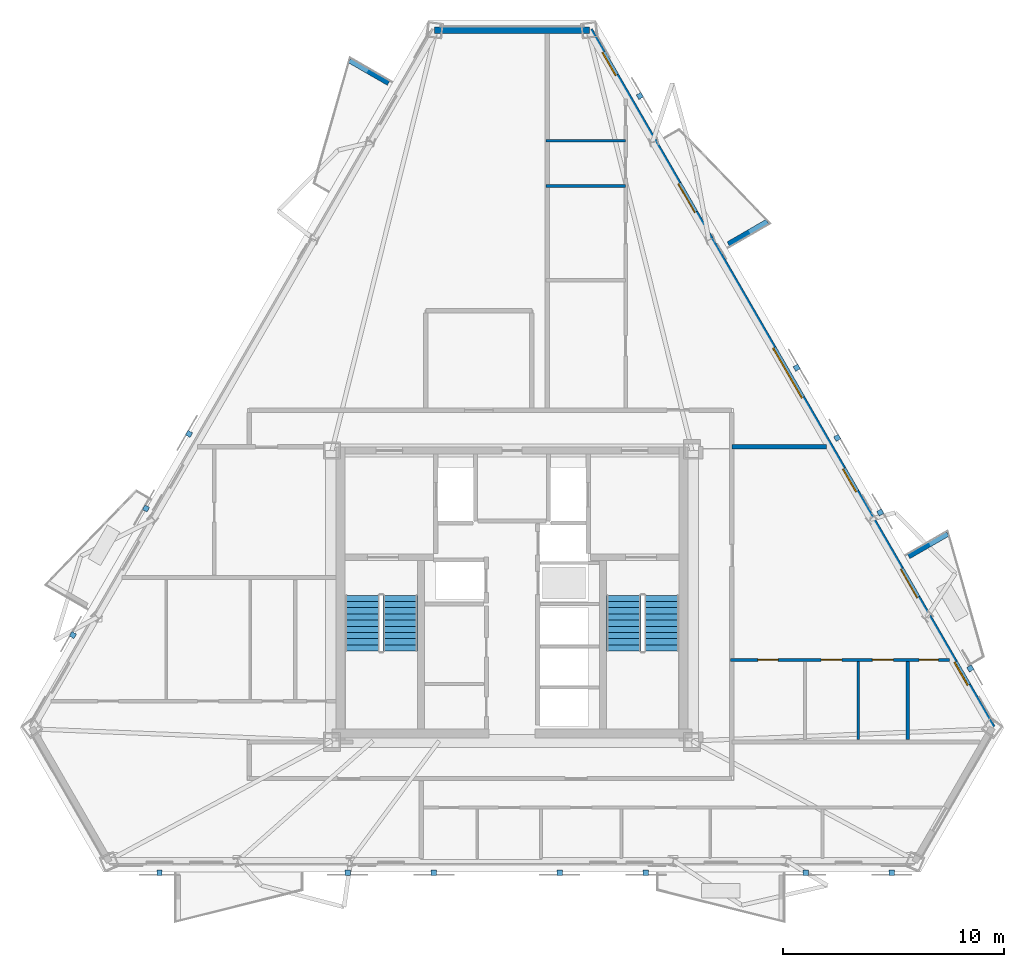
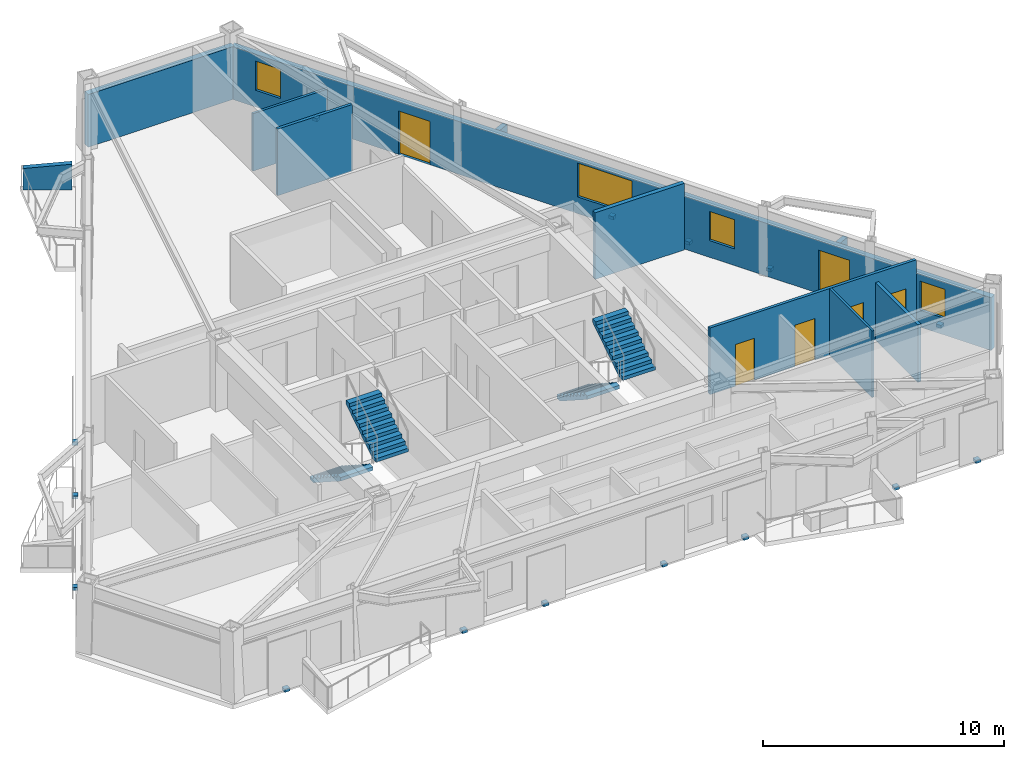
# One storey, part 5 of 10: 15 discrete accessories, 11 walls, 6 doors, 4 stair flights, 4 windows, 10 openings, 2 elements without a shape of their own.
"""IFC4 building model written with IfcOpenShell, lengths in metres."""

from ifc_helpers import new_model, si_unit, direction, frame, frame_2d, origin, origin_2d, place, context, subcontext, project, spatial, polyline, rectangle, outline, extrude, material, layer, layer_set, type_object, element, fill, aggregate, save


model = new_model("IFC4")

# Units and contexts
model_context = context("Model", 3, precision=1e-05, world=origin(), true_north=direction((0.0, 1.0)))
body_context = subcontext(model_context, "Body", "Model", "MODEL_VIEW")
ifc_project = project(units=[si_unit("LENGTHUNIT", "METRE"), si_unit("AREAUNIT", "SQUARE_METRE"), si_unit("VOLUMEUNIT", "CUBIC_METRE"), si_unit("PLANEANGLEUNIT", "RADIAN"), si_unit("MASSUNIT", "GRAM", prefix="KILO")], contexts=[model_context])

# Site, building, storey
site_placement = place(None, origin())
site = spatial("IfcSite", under=ifc_project, at=site_placement, CompositionType="ELEMENT")
building_placement = place(site_placement, origin())
building = spatial("IfcBuilding", under=site, at=building_placement, Name="Oramaril Tower", CompositionType="ELEMENT")
storey_placement = place(building_placement, frame((0.0, 0.0, 209.10009765625)))
storey = spatial("IfcBuildingStorey", under=building, at=storey_placement, Name="L55", CompositionType="ELEMENT", Elevation=209.10009765625)

# Wall, openings, doors, windows
ifc_material_1 = material(Name="Warm Cream Limestone", Category="masonry")
ifc_layer_1 = layer(ifc_material_1, 0.2900390625)
ifc_layer_set_1 = layer_set([ifc_layer_1], Name="WT-EXT29")
wall_type_1 = type_object("IfcWallType", Name="WT-EXT29", PredefinedType="SOLIDWALL", material=ifc_layer_set_1)
wall_1_placement = place(storey_placement, frame((59.24560546875, 11.600830078125, 0.0), z_axis=(0.0, 0.0, 1.0), x_axis=(-0.50000139879, 0.866024596191, 0.0)))
wall_1 = element("IfcWall", 1, at=wall_1_placement, inside=storey, type_object=wall_type_1, Name="L55 Tower Limestone Facade Wall 4M", PredefinedType="SOLIDWALL", context=body_context, shape_type="SweptSolid", body=[
    extrude(rectangle(XDim=36.466796875, YDim=0.2900390625, at=frame_2d((18.2333984375, 0.0))), origin(), (0.0, 0.0, 1.0), 2.677001953125),
])
opening_1_placement = place(wall_1_placement, frame((6.789306640625, 0.0, 0.0)))
opening_1 = element("IfcOpeningElement", 2, at=opening_1_placement, cuts=wall_1, Name="Opening D-L55-BAL-NE1", PredefinedType="OPENING", context=body_context, shape_type="SweptSolid", body=[
    extrude(rectangle(XDim=1.5, YDim=2.199951171875, at=frame_2d((0.75, 1.10009765625))), frame((0.0, 0.14501953125, 0.0), z_axis=(0.0, -1.0, 0.0), x_axis=(1.0, 0.0, 0.0)), (0.0, 0.0, 1.0), 0.2900390625),
])
opening_2_placement = place(wall_1_placement, frame((26.93212890625, 0.0, 0.0)))
opening_2 = element("IfcOpeningElement", 3, at=opening_2_placement, cuts=wall_1, Name="Opening D-L55-BAL-NE2", PredefinedType="OPENING", context=body_context, shape_type="SweptSolid", body=[
    extrude(rectangle(XDim=1.5, YDim=2.199951171875, at=frame_2d((0.75, 1.10009765625))), frame((0.0, 0.14501953125, 0.0), z_axis=(0.0, -1.0, 0.0), x_axis=(1.0, 0.0, 0.0)), (0.0, 0.0, 1.0), 0.2900390625),
])
opening_3_placement = place(wall_1_placement, frame((12.32373046875, 0.0, 0.85009765625)))
opening_3 = element("IfcOpeningElement", 4, at=opening_3_placement, cuts=wall_1, Name="Opening WN-09", PredefinedType="OPENING", context=body_context, shape_type="SweptSolid", body=[
    extrude(rectangle(XDim=1.199951171875, YDim=1.47998046875, at=frame_2d((0.60009765625, 0.739990234375))), frame((0.0, 0.14501953125, 0.0), z_axis=(0.0, -1.0, 0.0), x_axis=(1.0, 0.0, 0.0)), (0.0, 0.0, 1.0), 0.2900390625),
])
opening_4_placement = place(wall_1_placement, frame((2.218017578125, 0.0, 0.85009765625)))
opening_4 = element("IfcOpeningElement", 5, at=opening_4_placement, cuts=wall_1, Name="Opening WN-09", PredefinedType="OPENING", context=body_context, shape_type="SweptSolid", body=[
    extrude(rectangle(XDim=1.199951171875, YDim=1.47998046875, at=frame_2d((0.60009765625, 0.739990234375))), frame((0.0, 0.14501953125, 0.0), z_axis=(0.0, -1.0, 0.0), x_axis=(1.0, 0.0, 0.0)), (0.0, 0.0, 1.0), 0.2900390625),
])
opening_5_placement = place(wall_1_placement, frame((17.239501953125, 0.0, 0.85009765625)))
opening_5 = element("IfcOpeningElement", 6, at=opening_5_placement, cuts=wall_1, Name="Opening WN-02", PredefinedType="OPENING", context=body_context, shape_type="SweptSolid", body=[
    extrude(rectangle(XDim=2.60009765625, YDim=1.717041015625, at=frame_2d((1.300048828125, 0.8583984375))), frame((0.0, 0.14501953125, 0.0), z_axis=(0.0, -1.0, 0.0), x_axis=(1.0, 0.0, 0.0)), (0.0, 0.0, 1.0), 0.2900390625),
])
opening_6_placement = place(wall_1_placement, frame((34.098388671875, 0.0, 0.85009765625)))
opening_6 = element("IfcOpeningElement", 7, at=opening_6_placement, cuts=wall_1, Name="Opening WN-09", PredefinedType="OPENING", context=body_context, shape_type="SweptSolid", body=[
    extrude(rectangle(XDim=1.199951171875, YDim=1.47998046875, at=frame_2d((0.60009765625, 0.739990234375))), frame((0.0, 0.14501953125, 0.0), z_axis=(0.0, -1.0, 0.0), x_axis=(1.0, 0.0, 0.0)), (0.0, 0.0, 1.0), 0.2900390625),
])
ifc_material_2 = material(Name="Anodised Aluminium 6063-T6", Category="aluminium")
door_type_1 = type_object("IfcDoorType", Name="DT-BAL", OperationType="NOTDEFINED", PredefinedType="DOOR", material=ifc_material_2)
door_1_placement = place(opening_1_placement, origin())
door_1 = element("IfcDoor", 8, at=door_1_placement, inside=storey, type_object=door_type_1, Name="L55 Balcony Glazed Door L55-BAL-NE1", OperationType="SINGLE_SWING_RIGHT", OverallHeight=2.199951171875, OverallWidth=1.5, PredefinedType="DOOR", context=body_context, shape_type="SweptSolid", body=[
    extrude(rectangle(XDim=1.5, YDim=2.199951171875, at=frame_2d((0.75, 1.10009765625))), frame((0.0, 0.02490234375, 0.0), z_axis=(0.0, -1.0, 0.0), x_axis=(1.0, 0.0, 0.0)), (0.0, 0.0, 1.0), 0.050048828125),
])
fill(opening_1, door_1)
door_2_placement = place(opening_2_placement, origin())
door_2 = element("IfcDoor", 9, at=door_2_placement, inside=storey, type_object=door_type_1, Name="L55 Balcony Glazed Door L55-BAL-NE2", OperationType="SINGLE_SWING_LEFT", OverallHeight=2.199951171875, OverallWidth=1.5, PredefinedType="DOOR", context=body_context, shape_type="SweptSolid", body=[
    extrude(rectangle(XDim=1.5, YDim=2.199951171875, at=frame_2d((0.75, 1.10009765625))), frame((0.0, 0.02490234375, 0.0), z_axis=(0.0, -1.0, 0.0), x_axis=(1.0, 0.0, 0.0)), (0.0, 0.0, 1.0), 0.050048828125),
])
fill(opening_2, door_2)
ifc_material_3 = material(Name="Coastal Low-E Insulated Glass", Category="glass")
window_type_1 = type_object("IfcWindowType", Name="WNT-02", PartitioningType="SINGLE_PANEL", PredefinedType="WINDOW", material=ifc_material_3)
window_1_placement = place(opening_5_placement, origin())
window_1 = element("IfcWindow", 10, at=window_1_placement, inside=storey, type_object=window_type_1, Name="L55 Chicago Bay Window WN-02", OverallHeight=1.717041015625, OverallWidth=2.60009765625, PartitioningType="SINGLE_PANEL", PredefinedType="WINDOW", context=body_context, shape_type="SweptSolid", body=[
    extrude(rectangle(XDim=2.60009765625, YDim=1.717041015625, at=frame_2d((1.300048828125, 0.8583984375))), frame((0.0, 0.030029296875, 0.0), z_axis=(0.0, -1.0, 0.0), x_axis=(1.0, 0.0, 0.0)), (0.0, 0.0, 1.0), 0.06005859375),
])
fill(opening_5, window_1)
ifc_material_4 = material(Name="Coastal Low-E Insulated Glass", Category="glass")
window_type_2 = type_object("IfcWindowType", Name="WNT-09", PartitioningType="SINGLE_PANEL", PredefinedType="WINDOW", material=ifc_material_4)
window_2_placement = place(opening_3_placement, origin())
window_2 = element("IfcWindow", 11, at=window_2_placement, inside=storey, type_object=window_type_2, Name="L55 Chicago Bay Window WN-09", OverallHeight=1.47998046875, OverallWidth=1.199951171875, PartitioningType="SINGLE_PANEL", PredefinedType="WINDOW", context=body_context, shape_type="SweptSolid", body=[
    extrude(rectangle(XDim=1.199951171875, YDim=1.47998046875, at=frame_2d((0.60009765625, 0.739990234375))), frame((0.0, 0.030029296875, 0.0), z_axis=(0.0, -1.0, 0.0), x_axis=(1.0, 0.0, 0.0)), (0.0, 0.0, 1.0), 0.06005859375),
])
fill(opening_3, window_2)
window_3_placement = place(opening_4_placement, origin())
window_3 = element("IfcWindow", 12, at=window_3_placement, inside=storey, type_object=window_type_2, Name="L55 Chicago Bay Window WN-09", OverallHeight=1.47998046875, OverallWidth=1.199951171875, PartitioningType="SINGLE_PANEL", PredefinedType="WINDOW", context=body_context, shape_type="SweptSolid", body=[
    extrude(rectangle(XDim=1.199951171875, YDim=1.47998046875, at=frame_2d((0.60009765625, 0.739990234375))), frame((0.0, 0.030029296875, 0.0), z_axis=(0.0, -1.0, 0.0), x_axis=(1.0, 0.0, 0.0)), (0.0, 0.0, 1.0), 0.06005859375),
])
fill(opening_4, window_3)
window_4_placement = place(opening_6_placement, origin())
window_4 = element("IfcWindow", 13, at=window_4_placement, inside=storey, type_object=window_type_2, Name="L55 Chicago Bay Window WN-09", OverallHeight=1.47998046875, OverallWidth=1.199951171875, PartitioningType="SINGLE_PANEL", PredefinedType="WINDOW", context=body_context, shape_type="SweptSolid", body=[
    extrude(rectangle(XDim=1.199951171875, YDim=1.47998046875, at=frame_2d((0.60009765625, 0.739990234375))), frame((0.0, 0.030029296875, 0.0), z_axis=(0.0, -1.0, 0.0), x_axis=(1.0, 0.0, 0.0)), (0.0, 0.0, 1.0), 0.06005859375),
])
fill(opening_6, window_4)

# Walls
wall_2_placement = place(storey_placement, frame((41.01220703125, 43.181884765625, 0.0), z_axis=(0.0, 0.0, 1.0), x_axis=(-1.0, 0.0, 0.0)))
element("IfcWall", 14, at=wall_2_placement, inside=storey, type_object=wall_type_1, Name="L55 Tower Limestone Facade Wall 5M", PredefinedType="SOLIDWALL", context=body_context, shape_type="SweptSolid", body=[
    extrude(rectangle(XDim=7.0244140625, YDim=0.2900390625, at=frame_2d((3.51220703125, 0.0))), origin(), (0.0, 0.0, 1.0), 2.677001953125),
])
ifc_material_5 = material(Name="Concrete C40/50", Category="concrete")
ifc_layer_2 = layer(ifc_material_5, 0.22998046875)
ifc_layer_set_2 = layer_set([ifc_layer_2], Name="WT-PRP23")
wall_type_2 = type_object("IfcWallType", Name="WT-PRP23", PredefinedType="PARAPET", material=ifc_layer_set_2)
for number, where, z_axis, x_axis, name in (
    (15, (55.461181640625, 19.3515625, 0.0), (0.0, 0.0, 1.0), (0.866042246008, 0.499970827278, 0.0), "L55 Trapezoidal Balcony Frame Cheek L55-BAL-NE1-R"),
    (16, (47.294921875, 33.49609375, 0.0), (0.0, 0.0, 1.0), (0.866012356593, 0.500022597718, 0.0), "L55 Trapezoidal Balcony Frame Cheek L55-BAL-NE2-L"),
    (17, (31.91259765625, 40.78369140625, 0.0), (0.0, 0.0, 1.0), (-0.866012356593, 0.500022597718, 0.0), "L55 Trapezoidal Balcony Frame Cheek L55-BAL-NW1-L"),
):
    element("IfcWall", number, at=place(storey_placement, frame(where, z_axis=z_axis, x_axis=x_axis)), inside=storey, type_object=wall_type_2, Name=name, PredefinedType="PARAPET", context=body_context, shape_type="SweptSolid", body=[
        extrude(outline(polyline([(0.0, 0.0), (2.0419921875, 0.0), (2.0419921875, 1.099853515625), (0.0, 1.31982421875), (0.0, 0.0)])), frame((0.0, 0.114990234375, 0.0), z_axis=(0.0, -1.0, 0.0), x_axis=(1.0, 0.0, 0.0)), (0.0, 0.0, 1.0), 0.22998046875),
    ])
ifc_material_6 = material(Name="Acoustic Gypsum Board Partition")
ifc_layer_3 = layer(ifc_material_6, 0.10009765625)
ifc_layer_set_3 = layer_set([ifc_layer_3], Name="WT-PT10")
wall_type_3 = type_object("IfcWallType", Name="WT-PT10", PredefinedType="PARTITIONING", material=ifc_layer_set_3)
wall_3_placement = place(storey_placement, frame((53.179931640625, 11.053955078125, 0.0), z_axis=(0.0, 0.0, 1.0), x_axis=(0.0, 1.0, 0.0)))
element("IfcWall", 18, at=wall_3_placement, inside=storey, type_object=wall_type_3, Name="L55 Interior Partition PT-10", PredefinedType="PARTITIONING", context=body_context, shape_type="SweptSolid", body=[
    extrude(rectangle(XDim=3.5419921875, YDim=0.10009765625, at=frame_2d((1.77099609375, 0.0))), origin(), (0.0, 0.0, 1.0), 3.3798828125),
])
ifc_material_7 = material(Name="Acoustic Gypsum Board Partition")
ifc_layer_4 = layer(ifc_material_7, 0.1201171875)
ifc_layer_set_4 = layer_set([ifc_layer_4], Name="WT-PT12")
wall_type_4 = type_object("IfcWallType", Name="WT-PT12", PredefinedType="PARTITIONING", material=ifc_layer_set_4)
wall_4_placement = place(storey_placement, frame((39.050048828125, 38.179931640625, 0.0), z_axis=(0.0, 0.0, 1.0), x_axis=(1.0, 0.0, 0.0)))
element("IfcWall", 19, at=wall_4_placement, inside=storey, type_object=wall_type_4, Name="L55 Interior Partition PT-12", PredefinedType="PARTITIONING", context=body_context, shape_type="SweptSolid", body=[
    extrude(rectangle(XDim=3.5859375, YDim=0.1201171875, at=frame_2d((1.79296875, 0.0))), origin(), (0.0, 0.0, 1.0), 2.912841796875),
])

# Wall, openings, doors
ifc_material_8 = material(Name="Acoustic Gypsum Board Partition")
ifc_layer_5 = layer(ifc_material_8, 0.139892578125)
ifc_layer_set_5 = layer_set([ifc_layer_5], Name="WT-PT14")
wall_type_5 = type_object("IfcWallType", Name="WT-PT14", PredefinedType="PARTITIONING", material=ifc_layer_set_5)
wall_5_placement = place(storey_placement, frame((47.39990234375, 14.669921875, 0.0), z_axis=(0.0, 0.0, 1.0), x_axis=(1.0, 0.0, 0.0)))
wall_5 = element("IfcWall", 20, at=wall_5_placement, inside=storey, type_object=wall_type_5, Name="L55 Interior Partition PT-14", PredefinedType="PARTITIONING", context=body_context, shape_type="SweptSolid", body=[
    extrude(rectangle(XDim=9.901611328125, YDim=0.139892578125, at=frame_2d((4.95068359375, 0.0))), origin(), (0.0, 0.0, 1.0), 3.3798828125),
])
opening_7_placement = place(wall_5_placement, frame((1.22900390625, 0.0, 0.0)))
opening_7 = element("IfcOpeningElement", 21, at=opening_7_placement, cuts=wall_5, Name="Opening D-L55-13", PredefinedType="OPENING", context=body_context, shape_type="SweptSolid", body=[
    extrude(rectangle(XDim=0.919921875, YDim=2.1201171875, at=frame_2d((0.4599609375, 1.06005859375))), frame((0.0, 0.06982421875, 0.0), z_axis=(0.0, -1.0, 0.0), x_axis=(1.0, 0.0, 0.0)), (0.0, 0.0, 1.0), 0.139892578125),
])
opening_8_placement = place(wall_5_placement, frame((4.091796875, 0.0, 0.0)))
opening_8 = element("IfcOpeningElement", 22, at=opening_8_placement, cuts=wall_5, Name="Opening D-L55-14", PredefinedType="OPENING", context=body_context, shape_type="SweptSolid", body=[
    extrude(rectangle(XDim=0.949951171875, YDim=2.10009765625, at=frame_2d((0.47509765625, 1.050048828125))), frame((0.0, 0.06982421875, 0.0), z_axis=(0.0, -1.0, 0.0), x_axis=(1.0, 0.0, 0.0)), (0.0, 0.0, 1.0), 0.139892578125),
])
opening_9_placement = place(wall_5_placement, frame((6.41796875, 0.0, 0.0)))
opening_9 = element("IfcOpeningElement", 23, at=opening_9_placement, cuts=wall_5, Name="Opening D-L55-15", PredefinedType="OPENING", context=body_context, shape_type="SweptSolid", body=[
    extrude(rectangle(XDim=0.949951171875, YDim=2.10009765625, at=frame_2d((0.47509765625, 1.050048828125))), frame((0.0, 0.06982421875, 0.0), z_axis=(0.0, -1.0, 0.0), x_axis=(1.0, 0.0, 0.0)), (0.0, 0.0, 1.0), 0.139892578125),
])
opening_10_placement = place(wall_5_placement, frame((8.530517578125, 0.0, 0.0)))
opening_10 = element("IfcOpeningElement", 24, at=opening_10_placement, cuts=wall_5, Name="Opening D-L55-16", PredefinedType="OPENING", context=body_context, shape_type="SweptSolid", body=[
    extrude(rectangle(XDim=0.8798828125, YDim=2.080078125, at=frame_2d((0.43994140625, 1.0400390625))), frame((0.0, 0.06982421875, 0.0), z_axis=(0.0, -1.0, 0.0), x_axis=(1.0, 0.0, 0.0)), (0.0, 0.0, 1.0), 0.139892578125),
])
ifc_material_9 = material(Name="FSC Brazilian Freijo Hardwood", Category="wood")
door_type_2 = type_object("IfcDoorType", Name="DT-BATH", OperationType="NOTDEFINED", PredefinedType="DOOR", material=ifc_material_9)
door_3_placement = place(opening_10_placement, origin())
door_3 = element("IfcDoor", 25, at=door_3_placement, inside=storey, type_object=door_type_2, Name="L55 Flat L55-U4 Bathroom Door D-L55-16", OperationType="SINGLE_SWING_RIGHT", OverallHeight=2.080078125, OverallWidth=0.8798828125, PredefinedType="DOOR", context=body_context, shape_type="SweptSolid", body=[
    extrude(rectangle(XDim=0.8798828125, YDim=2.080078125, at=frame_2d((0.43994140625, 1.0400390625))), frame((0.0, 0.02490234375, 0.0), z_axis=(0.0, -1.0, 0.0), x_axis=(1.0, 0.0, 0.0)), (0.0, 0.0, 1.0), 0.050048828125),
])
fill(opening_10, door_3)
ifc_material_10 = material(Name="FSC Brazilian Freijo Hardwood", Category="wood")
door_type_3 = type_object("IfcDoorType", Name="DT-BED", OperationType="NOTDEFINED", PredefinedType="DOOR", material=ifc_material_10)
door_4_placement = place(opening_7_placement, origin())
door_4 = element("IfcDoor", 26, at=door_4_placement, inside=storey, type_object=door_type_3, Name="L55 Flat L55-U4 Master Bedroom Door D-L55-13", OperationType="SINGLE_SWING_LEFT", OverallHeight=2.1201171875, OverallWidth=0.919921875, PredefinedType="DOOR", context=body_context, shape_type="SweptSolid", body=[
    extrude(rectangle(XDim=0.919921875, YDim=2.1201171875, at=frame_2d((0.4599609375, 1.06005859375))), frame((0.0, 0.02490234375, 0.0), z_axis=(0.0, -1.0, 0.0), x_axis=(1.0, 0.0, 0.0)), (0.0, 0.0, 1.0), 0.050048828125),
])
fill(opening_7, door_4)
ifc_material_11 = material(Name="FSC Brazilian Freijo Hardwood", Category="wood")
door_type_4 = type_object("IfcDoorType", Name="DT-STDY", OperationType="NOTDEFINED", PredefinedType="DOOR", material=ifc_material_11)
door_5_placement = place(opening_8_placement, origin())
door_5 = element("IfcDoor", 27, at=door_5_placement, inside=storey, type_object=door_type_4, Name="L55 Flat L55-U4 Dining Room Door D-L55-14", OperationType="SINGLE_SWING_RIGHT", OverallHeight=2.10009765625, OverallWidth=0.949951171875, PredefinedType="DOOR", context=body_context, shape_type="SweptSolid", body=[
    extrude(rectangle(XDim=0.949951171875, YDim=2.10009765625, at=frame_2d((0.47509765625, 1.050048828125))), frame((0.0, 0.02490234375, 0.0), z_axis=(0.0, -1.0, 0.0), x_axis=(1.0, 0.0, 0.0)), (0.0, 0.0, 1.0), 0.050048828125),
])
fill(opening_8, door_5)
door_6_placement = place(opening_9_placement, origin())
door_6 = element("IfcDoor", 28, at=door_6_placement, inside=storey, type_object=door_type_4, Name="L55 Flat L55-U4 Kitchen Door D-L55-15", OperationType="SINGLE_SWING_LEFT", OverallHeight=2.10009765625, OverallWidth=0.949951171875, PredefinedType="DOOR", context=body_context, shape_type="SweptSolid", body=[
    extrude(rectangle(XDim=0.949951171875, YDim=2.10009765625, at=frame_2d((0.47509765625, 1.050048828125))), frame((0.0, 0.02490234375, 0.0), z_axis=(0.0, -1.0, 0.0), x_axis=(1.0, 0.0, 0.0)), (0.0, 0.0, 1.0), 0.050048828125),
])
fill(opening_9, door_6)

# Walls
wall_6_placement = place(storey_placement, frame((39.050048828125, 36.1298828125, 0.0), z_axis=(0.0, 0.0, 1.0), x_axis=(1.0, 0.0, 0.0)))
element("IfcWall", 29, at=wall_6_placement, inside=storey, type_object=wall_type_5, Name="L55 Interior Partition PT-14", PredefinedType="PARTITIONING", context=body_context, shape_type="SweptSolid", body=[
    extrude(rectangle(XDim=3.5859375, YDim=0.139892578125, at=frame_2d((1.79296875, 0.0))), origin(), (0.0, 0.0, 1.0), 3.3798828125),
])
ifc_material_12 = material(Name="Acoustic Gypsum Board Partition")
ifc_layer_6 = layer(ifc_material_12, 0.159912109375)
ifc_layer_set_6 = layer_set([ifc_layer_6], Name="WT-PT16")
wall_type_6 = type_object("IfcWallType", Name="WT-PT16", PredefinedType="PARTITIONING", material=ifc_layer_set_6)
wall_7_placement = place(storey_placement, frame((55.409912109375, 11.053955078125, 0.0), z_axis=(0.0, 0.0, 1.0), x_axis=(0.0, 1.0, 0.0)))
element("IfcWall", 30, at=wall_7_placement, inside=storey, type_object=wall_type_6, Name="L55 Interior Partition PT-16", PredefinedType="PARTITIONING", context=body_context, shape_type="SweptSolid", body=[
    extrude(rectangle(XDim=3.5419921875, YDim=0.159912109375, at=frame_2d((1.77099609375, 0.0))), origin(), (0.0, 0.0, 1.0), 2.912841796875),
])
ifc_material_13 = material(Name="Autoclaved Cellular Concrete Block", Category="concrete")
ifc_layer_7 = layer(ifc_material_13, 0.199951171875)
ifc_layer_set_7 = layer_set([ifc_layer_7], Name="WT-PT20")
wall_type_7 = type_object("IfcWallType", Name="WT-PT20", PredefinedType="PARTITIONING", material=ifc_layer_set_7)
wall_8_placement = place(storey_placement, frame((47.449951171875, 24.320068359375, 0.0), z_axis=(0.0, 0.0, 1.0), x_axis=(1.0, 0.0, 0.0)))
element("IfcWall", 31, at=wall_8_placement, inside=storey, type_object=wall_type_7, Name="L55 Interior Partition PT-20", PredefinedType="PARTITIONING", context=body_context, shape_type="SweptSolid", body=[
    extrude(rectangle(XDim=4.280029296875, YDim=0.199951171875, at=frame_2d((2.14013671875, 0.0))), origin(), (0.0, 0.0, 1.0), 3.3798828125),
])

# Stair, stair flights
ifc_material_14 = material(Name="Concrete C50/60", Category="concrete")
stair_type = type_object("IfcStairType", Name="STT-DG-3600", PredefinedType="HALF_TURN_STAIR", material=ifc_material_14)
stair_1_placement = place(storey_placement, origin())
stair_1 = element("IfcStair", 32, at=stair_1_placement, inside=storey, type_object=stair_type, Name="L55 Protected PFP Exit Stair ST-1", PredefinedType="HALF_TURN_STAIR")
ifc_material_15 = material(Name="Concrete C50/60", Category="concrete")
stair_flight_type = type_object("IfcStairFlightType", Name="SFT-DG-3600", PredefinedType="STRAIGHT", material=ifc_material_15)
stair_flight_1_placement = place(storey_placement, frame((30.72998046875, 17.590087890625, 0.0), z_axis=(0.0, 0.0, 1.0), x_axis=(0.0, -1.0, 0.0)))
stair_flight_1 = element("IfcStairFlight", 33, at=stair_flight_1_placement, type_object=stair_flight_type, Name="ST-1 flight 1", NumberOfRisers=10, NumberOfTreads=9, PredefinedType="STRAIGHT", RiserHeight=0.18, TreadLength=0.28, context=body_context, shape_type="SweptSolid", body=[
    extrude(outline(polyline([(0.0, 0.0), (0.0, 0.179931640625), (0.280029296875, 0.179931640625), (0.280029296875, 0.360107421875), (0.56005859375, 0.360107421875), (0.56005859375, 0.5400390625), (0.840087890625, 0.5400390625), (0.840087890625, 0.719970703125), (1.1201171875, 0.719970703125), (1.1201171875, 0.89990234375), (1.39990234375, 0.89990234375), (1.39990234375, 1.080078125), (1.679931640625, 1.080078125), (1.679931640625, 1.260009765625), (1.9599609375, 1.260009765625), (1.9599609375, 1.43994140625), (2.239990234375, 1.43994140625), (2.239990234375, 1.6201171875), (2.52001953125, 1.6201171875), (2.52001953125, 1.800048828125), (2.52001953125, 1.44189453125), (0.277099609375, 0.0), (0.0, 0.0)])), frame((0.0, 0.780029296875, 0.0), z_axis=(0.0, -1.0, 0.0), x_axis=(1.0, 0.0, 0.0)), (0.0, 0.0, 1.0), 1.56005859375),
])
stair_flight_2_placement = place(storey_placement, frame((32.43994140625, 15.070068359375, 1.7998046875), z_axis=(0.0, 0.0, 1.0), x_axis=(0.0, 1.0, 0.0)))
stair_flight_2 = element("IfcStairFlight", 34, at=stair_flight_2_placement, type_object=stair_flight_type, Name="ST-1 flight 2", NumberOfRisers=10, NumberOfTreads=9, PredefinedType="STRAIGHT", RiserHeight=0.18, TreadLength=0.28, context=body_context, shape_type="SweptSolid", body=[
    extrude(outline(polyline([(0.0, 0.0), (0.0, 0.179931640625), (0.280029296875, 0.179931640625), (0.280029296875, 0.360107421875), (0.56005859375, 0.360107421875), (0.56005859375, 0.5400390625), (0.840087890625, 0.5400390625), (0.840087890625, 0.719970703125), (1.1201171875, 0.719970703125), (1.1201171875, 0.89990234375), (1.39990234375, 0.89990234375), (1.39990234375, 1.080078125), (1.679931640625, 1.080078125), (1.679931640625, 1.260009765625), (1.9599609375, 1.260009765625), (1.9599609375, 1.43994140625), (2.239990234375, 1.43994140625), (2.239990234375, 1.6201171875), (2.52001953125, 1.6201171875), (2.52001953125, 1.800048828125), (2.52001953125, 1.44189453125), (0.277099609375, 0.0), (0.0, 0.0)])), frame((0.0, 0.780029296875, 0.0), z_axis=(0.0, -1.0, 0.0), x_axis=(1.0, 0.0, 0.0)), (0.0, 0.0, 1.0), 1.56005859375),
])
aggregate(stair_1, [stair_flight_1, stair_flight_2])

stair_2_placement = place(storey_placement, origin())
stair_2 = element("IfcStair", 35, at=stair_2_placement, inside=storey, type_object=stair_type, Name="L55 Protected PFP Exit Stair ST-2", PredefinedType="HALF_TURN_STAIR")
stair_flight_3_placement = place(storey_placement, frame((42.56005859375, 17.590087890625, 0.0), z_axis=(0.0, 0.0, 1.0), x_axis=(0.0, -1.0, 0.0)))
stair_flight_3 = element("IfcStairFlight", 36, at=stair_flight_3_placement, type_object=stair_flight_type, Name="ST-2 flight 1", NumberOfRisers=10, NumberOfTreads=9, PredefinedType="STRAIGHT", RiserHeight=0.18, TreadLength=0.28, context=body_context, shape_type="SweptSolid", body=[
    extrude(outline(polyline([(0.0, 0.0), (0.0, 0.179931640625), (0.280029296875, 0.179931640625), (0.280029296875, 0.360107421875), (0.56005859375, 0.360107421875), (0.56005859375, 0.5400390625), (0.840087890625, 0.5400390625), (0.840087890625, 0.719970703125), (1.1201171875, 0.719970703125), (1.1201171875, 0.89990234375), (1.39990234375, 0.89990234375), (1.39990234375, 1.080078125), (1.679931640625, 1.080078125), (1.679931640625, 1.260009765625), (1.9599609375, 1.260009765625), (1.9599609375, 1.43994140625), (2.239990234375, 1.43994140625), (2.239990234375, 1.6201171875), (2.52001953125, 1.6201171875), (2.52001953125, 1.800048828125), (2.52001953125, 1.44189453125), (0.277099609375, 0.0), (0.0, 0.0)])), frame((0.0, 0.780029296875, 0.0), z_axis=(0.0, -1.0, 0.0), x_axis=(1.0, 0.0, 0.0)), (0.0, 0.0, 1.0), 1.56005859375),
])
stair_flight_4_placement = place(storey_placement, frame((44.27001953125, 15.070068359375, 1.7998046875), z_axis=(0.0, 0.0, 1.0), x_axis=(0.0, 1.0, 0.0)))
stair_flight_4 = element("IfcStairFlight", 37, at=stair_flight_4_placement, type_object=stair_flight_type, Name="ST-2 flight 2", NumberOfRisers=10, NumberOfTreads=9, PredefinedType="STRAIGHT", RiserHeight=0.18, TreadLength=0.28, context=body_context, shape_type="SweptSolid", body=[
    extrude(outline(polyline([(0.0, 0.0), (0.0, 0.179931640625), (0.280029296875, 0.179931640625), (0.280029296875, 0.360107421875), (0.56005859375, 0.360107421875), (0.56005859375, 0.5400390625), (0.840087890625, 0.5400390625), (0.840087890625, 0.719970703125), (1.1201171875, 0.719970703125), (1.1201171875, 0.89990234375), (1.39990234375, 0.89990234375), (1.39990234375, 1.080078125), (1.679931640625, 1.080078125), (1.679931640625, 1.260009765625), (1.9599609375, 1.260009765625), (1.9599609375, 1.43994140625), (2.239990234375, 1.43994140625), (2.239990234375, 1.6201171875), (2.52001953125, 1.6201171875), (2.52001953125, 1.800048828125), (2.52001953125, 1.44189453125), (0.277099609375, 0.0), (0.0, 0.0)])), frame((0.0, 0.780029296875, 0.0), z_axis=(0.0, -1.0, 0.0), x_axis=(1.0, 0.0, 0.0)), (0.0, 0.0, 1.0), 1.56005859375),
])
aggregate(stair_2, [stair_flight_3, stair_flight_4])

# Discrete accessories
for number, where, z_axis, x_axis, name in (
    (38, (39.661376953125, 5.037353515625, -0.14013671875), (0.0, 0.0, 1.0), (1.0, 0.0, 0.0), "L55 Solar Screen Slab Bracket"),
    (39, (43.561279296875, 5.037353515625, -0.14013671875), (0.0, 0.0, 1.0), (1.0, 0.0, 0.0), "L55 Solar Screen Slab Bracket"),
    (40, (50.794189453125, 5.037353515625, -0.14013671875), (0.0, 0.0, 1.0), (1.0, 0.0, 0.0), "L55 Solar Screen Slab Bracket"),
    (41, (54.694091796875, 5.037353515625, -0.14013671875), (0.0, 0.0, 1.0), (1.0, 0.0, 0.0), "L55 Solar Screen Slab Bracket"),
    (42, (21.540283203125, 5.037353515625, -0.14013671875), (0.0, 0.0, 1.0), (1.0, 0.0, 0.0), "L55 Solar Screen Slab Bracket"),
    (43, (30.060791015625, 5.037353515625, -0.14013671875), (0.0, 0.0, 1.0), (1.0, 0.0, 0.0), "L55 Solar Screen Slab Bracket"),
    (44, (33.9609375, 5.037353515625, -0.14013671875), (0.0, 0.0, 1.0), (1.0, 0.0, 0.0), "L55 Solar Screen Slab Bracket"),
    (45, (54.17431640625, 21.344482421875, -0.14013671875), (0.0, 0.0, 1.0), (-0.500001511499, 0.866024531118, 0.0), "L55 Solar Screen Slab Bracket"),
    (46, (52.224365234375, 24.721923828125, -0.14013671875), (0.0, 0.0, 1.0), (-0.500001511499, 0.866024531118, 0.0), "L55 Solar Screen Slab Bracket"),
    (47, (58.252197265625, 14.281494140625, -0.14013671875), (0.0, 0.0, 1.0), (-0.500001511499, 0.866024531118, 0.0), "L55 Solar Screen Slab Bracket"),
    (48, (50.3916015625, 27.896484375, -0.14013671875), (0.0, 0.0, 1.0), (-0.500001511499, 0.866024531118, 0.0), "L55 Solar Screen Slab Bracket"),
    (49, (43.287109375, 40.201904296875, -0.14013671875), (0.0, 0.0, 1.0), (-0.500001511499, 0.866024531118, 0.0), "L55 Solar Screen Slab Bracket"),
    (50, (17.619140625, 15.790771484375, -0.14013671875), (0.0, 0.0, 1.0), (-0.500001511499, -0.866024531118, 0.0), "L55 Solar Screen Slab Bracket"),
    (51, (22.87890625, 24.900634765625, -0.14013671875), (0.0, 0.0, 1.0), (-0.500001511499, -0.866024531118, 0.0), "L55 Solar Screen Slab Bracket"),
    (52, (20.9287109375, 21.523193359375, -0.14013671875), (0.0, 0.0, 1.0), (-0.500001511499, -0.866024531118, 0.0), "L55 Solar Screen Slab Bracket"),
):
    element("IfcDiscreteAccessory", number, at=place(storey_placement, frame(where, z_axis=z_axis, x_axis=x_axis)), inside=storey, Name=name, PredefinedType="BRACKET", context=body_context, shape_type="SweptSolid", body=[
        extrude(rectangle(XDim=0.239990234375, YDim=0.239990234375, at=origin_2d()), origin(), (0.0, 0.0, 1.0), 0.159912109375),
    ])

save(model, "model.ifc")
